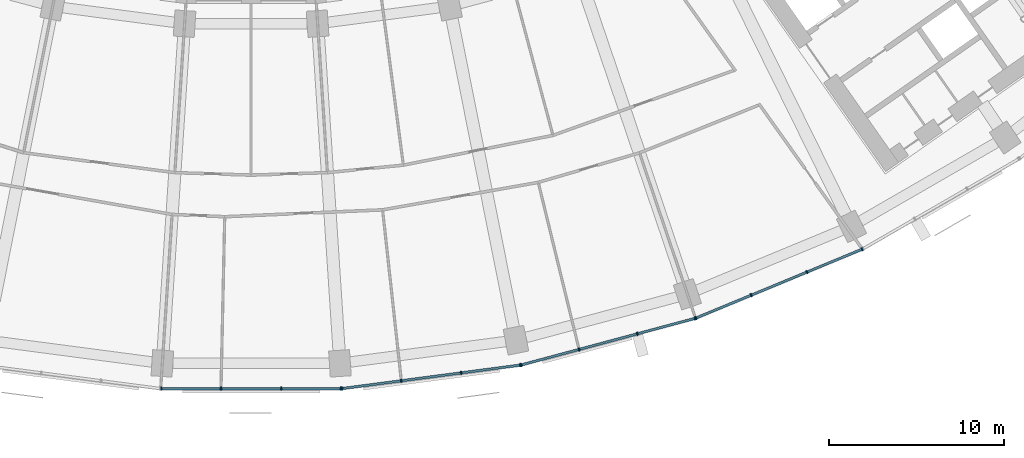
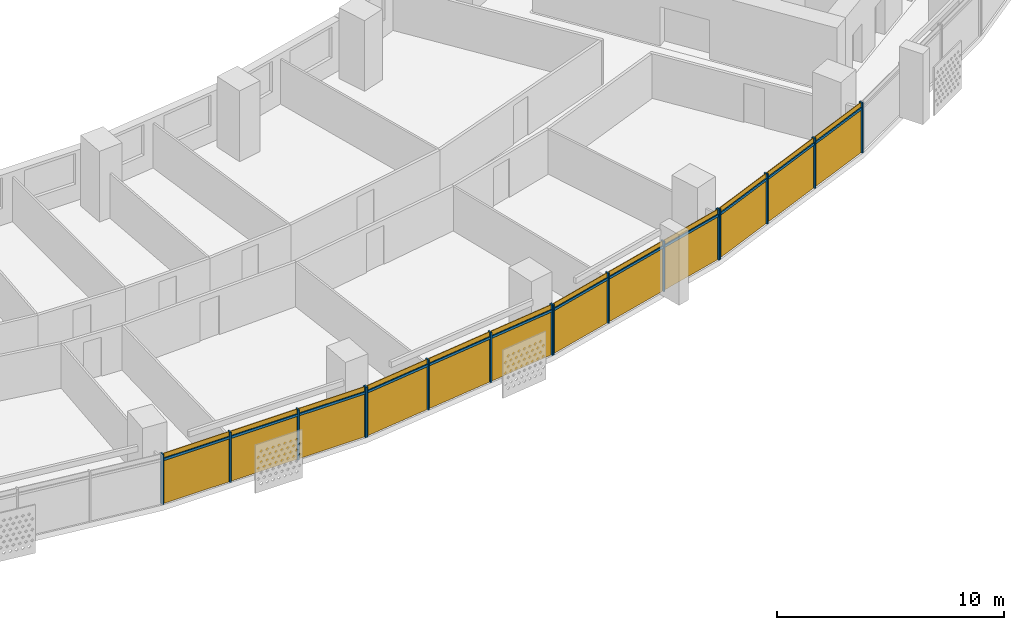
# One storey, part 21 of 29: 28 members, 4 curtain walls.
"""IFC4 building model written with IfcOpenShell, lengths in metres."""

from ifc_helpers import new_model, si_unit, direction, frame, origin, origin_2d, place, context, subcontext, project, spatial, rectangle, extrude, material, material_profile, profile_set, type_object, element, aggregate, save


model = new_model("IFC4")

# Units and contexts
model_context = context("Model", 3, precision=1e-05, world=origin(), true_north=direction((0.0, 1.0)))
body_context = subcontext(model_context, "Body", "Model", "MODEL_VIEW")
ifc_project = project(units=[si_unit("LENGTHUNIT", "METRE"), si_unit("AREAUNIT", "SQUARE_METRE"), si_unit("VOLUMEUNIT", "CUBIC_METRE"), si_unit("PLANEANGLEUNIT", "RADIAN"), si_unit("MASSUNIT", "GRAM", prefix="KILO")], contexts=[model_context])

# Member
ifc_material = material(Name="Aluminium 6063-T6 anodised", Category="aluminium")
ifc_material_profile_1 = material_profile(ifc_material, rectangle(XDim=0.199951171875, YDim=0.070068359375, at=origin_2d()))
ifc_profile_set_1 = profile_set([ifc_material_profile_1], Name="Aluminium 6063-T6 anodised")
member_type_1 = type_object("IfcMemberType", Name="Mullion 70 x 200 aluminium", PredefinedType="MULLION", material=ifc_profile_set_1)
site_placement = place(None, origin())
building_placement = place(site_placement, origin())
storey_placement = place(building_placement, frame((0.0, 0.0, 136.699951171875)))
member_1_placement = place(storey_placement, frame((-5.1513671875, -79.0302734375, 0.0), z_axis=(0.0, 0.0, 1.0), x_axis=(0.0, 1.0, 0.0)))
member_1 = element("IfcMember", 1, at=member_1_placement, type_object=member_type_1, Name="e-cw1-L31-out09/M00", PredefinedType="MULLION", context=body_context, shape_type="SweptSolid", body=[
    extrude(rectangle(XDim=0.199951171875, YDim=0.070068359375, at=origin_2d()), origin(), (0.0, 0.0, 1.0), 2.699951171875),
])

member_2_placement = place(storey_placement, frame((-1.728759765625, -79.0302734375, 0.0), z_axis=(0.0, 0.0, 1.0), x_axis=(0.0, 1.0, 0.0)))
member_2 = element("IfcMember", 2, at=member_2_placement, type_object=member_type_1, Name="e-cw1-L31-out09/M01", PredefinedType="MULLION", context=body_context, shape_type="SweptSolid", body=[
    extrude(rectangle(XDim=0.199951171875, YDim=0.070068359375, at=origin_2d()), origin(), (0.0, 0.0, 1.0), 2.699951171875),
])

member_3_placement = place(storey_placement, frame((1.728759765625, -79.0302734375, 0.0), z_axis=(0.0, 0.0, 1.0), x_axis=(0.0, 1.0, 0.0)))
member_3 = element("IfcMember", 3, at=member_3_placement, type_object=member_type_1, Name="e-cw1-L31-out09/M02", PredefinedType="MULLION", context=body_context, shape_type="SweptSolid", body=[
    extrude(rectangle(XDim=0.199951171875, YDim=0.070068359375, at=origin_2d()), origin(), (0.0, 0.0, 1.0), 2.699951171875),
])

member_4_placement = place(storey_placement, frame((5.1513671875, -79.0302734375, 0.0), z_axis=(0.0, 0.0, 1.0), x_axis=(0.0, 1.0, 0.0)))
member_4 = element("IfcMember", 4, at=member_4_placement, type_object=member_type_1, Name="e-cw1-L31-out09/M03", PredefinedType="MULLION", context=body_context, shape_type="SweptSolid", body=[
    extrude(rectangle(XDim=0.199951171875, YDim=0.070068359375, at=origin_2d()), origin(), (0.0, 0.0, 1.0), 2.699951171875),
])

member_5_placement = place(storey_placement, frame((5.2080078125, -79.026611328125, 0.0), z_axis=(0.0, 0.0, 1.0), x_axis=(-0.13052619222, 0.991444861374, 0.0)))
member_5 = element("IfcMember", 5, at=member_5_placement, type_object=member_type_1, Name="e-cw1-L31-out10/M00", PredefinedType="MULLION", context=body_context, shape_type="SweptSolid", body=[
    extrude(rectangle(XDim=0.199951171875, YDim=0.070068359375, at=origin_2d()), origin(), (0.0, 0.0, 1.0), 2.699951171875),
])

member_6_placement = place(storey_placement, frame((8.6015625, -78.579833984375, 0.0), z_axis=(0.0, 0.0, 1.0), x_axis=(-0.13052619222, 0.991444861374, 0.0)))
member_6 = element("IfcMember", 6, at=member_6_placement, type_object=member_type_1, Name="e-cw1-L31-out10/M01", PredefinedType="MULLION", context=body_context, shape_type="SweptSolid", body=[
    extrude(rectangle(XDim=0.199951171875, YDim=0.070068359375, at=origin_2d()), origin(), (0.0, 0.0, 1.0), 2.699951171875),
])

member_7_placement = place(storey_placement, frame((12.029541015625, -78.12841796875, 0.0), z_axis=(0.0, 0.0, 1.0), x_axis=(-0.13052619222, 0.991444861374, 0.0)))
member_7 = element("IfcMember", 7, at=member_7_placement, type_object=member_type_1, Name="e-cw1-L31-out10/M02", PredefinedType="MULLION", context=body_context, shape_type="SweptSolid", body=[
    extrude(rectangle(XDim=0.199951171875, YDim=0.070068359375, at=origin_2d()), origin(), (0.0, 0.0, 1.0), 2.699951171875),
])

member_8_placement = place(storey_placement, frame((15.4228515625, -77.681640625, 0.0), z_axis=(0.0, 0.0, 1.0), x_axis=(-0.13052619222, 0.991444861374, 0.0)))
member_8 = element("IfcMember", 8, at=member_8_placement, type_object=member_type_1, Name="e-cw1-L31-out10/M03", PredefinedType="MULLION", context=body_context, shape_type="SweptSolid", body=[
    extrude(rectangle(XDim=0.199951171875, YDim=0.070068359375, at=origin_2d()), origin(), (0.0, 0.0, 1.0), 2.699951171875),
])

member_9_placement = place(storey_placement, frame((15.478515625, -77.670654296875, 0.0), z_axis=(0.0, 0.0, 1.0), x_axis=(-0.258819045103, 0.965925826289, 0.0)))
member_9 = element("IfcMember", 9, at=member_9_placement, type_object=member_type_1, Name="e-cw1-L31-out11/M00", PredefinedType="MULLION", context=body_context, shape_type="SweptSolid", body=[
    extrude(rectangle(XDim=0.199951171875, YDim=0.070068359375, at=origin_2d()), origin(), (0.0, 0.0, 1.0), 2.699951171875),
])

member_10_placement = place(storey_placement, frame((18.78466796875, -76.78466796875, 0.0), z_axis=(0.0, 0.0, 1.0), x_axis=(-0.258819045103, 0.965925826289, 0.0)))
member_10 = element("IfcMember", 10, at=member_10_placement, type_object=member_type_1, Name="e-cw1-L31-out11/M01", PredefinedType="MULLION", context=body_context, shape_type="SweptSolid", body=[
    extrude(rectangle(XDim=0.199951171875, YDim=0.070068359375, at=origin_2d()), origin(), (0.0, 0.0, 1.0), 2.699951171875),
])

member_11_placement = place(storey_placement, frame((22.12451171875, -75.889892578125, 0.0), z_axis=(0.0, 0.0, 1.0), x_axis=(-0.258819045103, 0.965925826289, 0.0)))
member_11 = element("IfcMember", 11, at=member_11_placement, type_object=member_type_1, Name="e-cw1-L31-out11/M02", PredefinedType="MULLION", context=body_context, shape_type="SweptSolid", body=[
    extrude(rectangle(XDim=0.199951171875, YDim=0.070068359375, at=origin_2d()), origin(), (0.0, 0.0, 1.0), 2.699951171875),
])

member_12_placement = place(storey_placement, frame((25.430419921875, -75.00390625, 0.0), z_axis=(0.0, 0.0, 1.0), x_axis=(-0.258819045103, 0.965925826289, 0.0)))
member_12 = element("IfcMember", 12, at=member_12_placement, type_object=member_type_1, Name="e-cw1-L31-out11/M03", PredefinedType="MULLION", context=body_context, shape_type="SweptSolid", body=[
    extrude(rectangle(XDim=0.199951171875, YDim=0.070068359375, at=origin_2d()), origin(), (0.0, 0.0, 1.0), 2.699951171875),
])

member_13_placement = place(storey_placement, frame((25.484130859375, -74.98583984375, 0.0), z_axis=(0.0, 0.0, 1.0), x_axis=(-0.382683432365, 0.923879532511, 0.0)))
member_13 = element("IfcMember", 13, at=member_13_placement, type_object=member_type_1, Name="e-cw1-L31-out12/M00", PredefinedType="MULLION", context=body_context, shape_type="SweptSolid", body=[
    extrude(rectangle(XDim=0.199951171875, YDim=0.070068359375, at=origin_2d()), origin(), (0.0, 0.0, 1.0), 2.699951171875),
])

member_14_placement = place(storey_placement, frame((28.646240234375, -73.676025390625, 0.0), z_axis=(0.0, 0.0, 1.0), x_axis=(-0.382683432365, 0.923879532511, 0.0)))
member_14 = element("IfcMember", 14, at=member_14_placement, type_object=member_type_1, Name="e-cw1-L31-out12/M01", PredefinedType="MULLION", context=body_context, shape_type="SweptSolid", body=[
    extrude(rectangle(XDim=0.199951171875, YDim=0.070068359375, at=origin_2d()), origin(), (0.0, 0.0, 1.0), 2.699951171875),
])

member_15_placement = place(storey_placement, frame((31.8408203125, -72.352783203125, 0.0), z_axis=(0.0, 0.0, 1.0), x_axis=(-0.382683432365, 0.923879532511, 0.0)))
member_15 = element("IfcMember", 15, at=member_15_placement, type_object=member_type_1, Name="e-cw1-L31-out12/M02", PredefinedType="MULLION", context=body_context, shape_type="SweptSolid", body=[
    extrude(rectangle(XDim=0.199951171875, YDim=0.070068359375, at=origin_2d()), origin(), (0.0, 0.0, 1.0), 2.699951171875),
])

member_16_placement = place(storey_placement, frame((35.0029296875, -71.04296875, 0.0), z_axis=(0.0, 0.0, 1.0), x_axis=(-0.382683432365, 0.923879532511, 0.0)))
member_16 = element("IfcMember", 16, at=member_16_placement, type_object=member_type_1, Name="e-cw1-L31-out12/M03", PredefinedType="MULLION", context=body_context, shape_type="SweptSolid", body=[
    extrude(rectangle(XDim=0.199951171875, YDim=0.070068359375, at=origin_2d()), origin(), (0.0, 0.0, 1.0), 2.699951171875),
])

ifc_material_profile_2 = material_profile(ifc_material, rectangle(XDim=0.139892578125, YDim=0.1201171875, at=origin_2d()))
ifc_profile_set_2 = profile_set([ifc_material_profile_2], Name="Aluminium 6063-T6 anodised")
member_type_2 = type_object("IfcMemberType", Name="Transom 120 x 140 aluminium", PredefinedType="USERDEFINED", material=ifc_profile_set_2)
member_17_placement = place(storey_placement, frame((-5.116455078125, -79.0302734375, 2.400146484375), z_axis=(1.0, 0.0, 0.0), x_axis=(0.0, 1.0, 0.0)))
member_17 = element("IfcMember", 17, at=member_17_placement, type_object=member_type_2, Name="e-cw1-L31-out09/T00", ObjectType="TRANSOM", PredefinedType="USERDEFINED", context=body_context, shape_type="SweptSolid", body=[
    extrude(rectangle(XDim=0.139892578125, YDim=0.1201171875, at=origin_2d()), origin(), (0.0, 0.0, 1.0), 3.3525390625),
])

member_18_placement = place(storey_placement, frame((-1.69384765625, -79.0302734375, 2.400146484375), z_axis=(1.0, 0.0, 0.0), x_axis=(0.0, 1.0, 0.0)))
member_18 = element("IfcMember", 18, at=member_18_placement, type_object=member_type_2, Name="e-cw1-L31-out09/T01", ObjectType="TRANSOM", PredefinedType="USERDEFINED", context=body_context, shape_type="SweptSolid", body=[
    extrude(rectangle(XDim=0.139892578125, YDim=0.1201171875, at=origin_2d()), origin(), (0.0, 0.0, 1.0), 3.3876953125),
])

member_19_placement = place(storey_placement, frame((1.763916015625, -79.0302734375, 2.400146484375), z_axis=(1.0, 0.0, 0.0), x_axis=(0.0, 1.0, 0.0)))
member_19 = element("IfcMember", 19, at=member_19_placement, type_object=member_type_2, Name="e-cw1-L31-out09/T02", ObjectType="TRANSOM", PredefinedType="USERDEFINED", context=body_context, shape_type="SweptSolid", body=[
    extrude(rectangle(XDim=0.139892578125, YDim=0.1201171875, at=origin_2d()), origin(), (0.0, 0.0, 1.0), 3.3525390625),
])

member_20_placement = place(storey_placement, frame((5.242919921875, -79.02197265625, 2.400146484375), z_axis=(0.991439665896, 0.130565649721, 0.0), x_axis=(-0.130565649721, 0.991439665896, 0.0)))
member_20 = element("IfcMember", 20, at=member_20_placement, type_object=member_type_2, Name="e-cw1-L31-out10/T00", ObjectType="TRANSOM", PredefinedType="USERDEFINED", context=body_context, shape_type="SweptSolid", body=[
    extrude(rectangle(XDim=0.139892578125, YDim=0.1201171875, at=origin_2d()), origin(), (0.0, 0.0, 1.0), 3.352783203125),
])

member_21_placement = place(storey_placement, frame((8.63623046875, -78.5751953125, 2.400146484375), z_axis=(0.991446198807, 0.130516033004, 0.0), x_axis=(-0.130516033004, 0.991446198807, 0.0)))
member_21 = element("IfcMember", 21, at=member_21_placement, type_object=member_type_2, Name="e-cw1-L31-out10/T01", ObjectType="TRANSOM", PredefinedType="USERDEFINED", context=body_context, shape_type="SweptSolid", body=[
    extrude(rectangle(XDim=0.139892578125, YDim=0.1201171875, at=origin_2d()), origin(), (0.0, 0.0, 1.0), 3.3876953125),
])

member_22_placement = place(storey_placement, frame((12.064208984375, -78.123779296875, 2.400146484375), z_axis=(0.991449089759, 0.130494070426, 0.0), x_axis=(-0.130494070426, 0.991449089759, 0.0)))
member_22 = element("IfcMember", 22, at=member_22_placement, type_object=member_type_2, Name="e-cw1-L31-out10/T02", ObjectType="TRANSOM", PredefinedType="USERDEFINED", context=body_context, shape_type="SweptSolid", body=[
    extrude(rectangle(XDim=0.139892578125, YDim=0.1201171875, at=origin_2d()), origin(), (0.0, 0.0, 1.0), 3.3525390625),
])

member_23_placement = place(storey_placement, frame((15.512451171875, -77.66162109375, 2.400146484375), z_axis=(0.965927247937, 0.258813739382, 0.0), x_axis=(-0.258813739382, 0.965927247937, 0.0)))
member_23 = element("IfcMember", 23, at=member_23_placement, type_object=member_type_2, Name="e-cw1-L31-out11/T00", ObjectType="TRANSOM", PredefinedType="USERDEFINED", context=body_context, shape_type="SweptSolid", body=[
    extrude(rectangle(XDim=0.139892578125, YDim=0.1201171875, at=origin_2d()), origin(), (0.0, 0.0, 1.0), 3.3525390625),
])

member_24_placement = place(storey_placement, frame((18.818359375, -76.775634765625, 2.400146484375), z_axis=(0.965931646033, 0.258797324547, 0.0), x_axis=(-0.258797324547, 0.965931646033, 0.0)))
member_24 = element("IfcMember", 24, at=member_24_placement, type_object=member_type_2, Name="e-cw1-L31-out11/T01", ObjectType="TRANSOM", PredefinedType="USERDEFINED", context=body_context, shape_type="SweptSolid", body=[
    extrude(rectangle(XDim=0.139892578125, YDim=0.1201171875, at=origin_2d()), origin(), (0.0, 0.0, 1.0), 3.3876953125),
])

member_25_placement = place(storey_placement, frame((22.158203125, -75.880859375, 2.400146484375), z_axis=(0.965932125453, 0.258795535157, 0.0), x_axis=(-0.258795535157, 0.965932125453, 0.0)))
member_25 = element("IfcMember", 25, at=member_25_placement, type_object=member_type_2, Name="e-cw1-L31-out11/T02", ObjectType="TRANSOM", PredefinedType="USERDEFINED", context=body_context, shape_type="SweptSolid", body=[
    extrude(rectangle(XDim=0.139892578125, YDim=0.1201171875, at=origin_2d()), origin(), (0.0, 0.0, 1.0), 3.352783203125),
])

member_26_placement = place(storey_placement, frame((25.5166015625, -74.972412109375, 2.400146484375), z_axis=(0.923882814237, 0.382675509483, 0.0), x_axis=(-0.382675509483, 0.923882814237, 0.0)))
member_26 = element("IfcMember", 26, at=member_26_placement, type_object=member_type_2, Name="e-cw1-L31-out12/T00", ObjectType="TRANSOM", PredefinedType="USERDEFINED", context=body_context, shape_type="SweptSolid", body=[
    extrude(rectangle(XDim=0.139892578125, YDim=0.1201171875, at=origin_2d()), origin(), (0.0, 0.0, 1.0), 3.3525390625),
])

member_27_placement = place(storey_placement, frame((28.6787109375, -73.66259765625, 2.400146484375), z_axis=(0.923874529423, 0.382695510666, 0.0), x_axis=(-0.382695510666, 0.923874529423, 0.0)))
member_27 = element("IfcMember", 27, at=member_27_placement, type_object=member_type_2, Name="e-cw1-L31-out12/T01", ObjectType="TRANSOM", PredefinedType="USERDEFINED", context=body_context, shape_type="SweptSolid", body=[
    extrude(rectangle(XDim=0.139892578125, YDim=0.1201171875, at=origin_2d()), origin(), (0.0, 0.0, 1.0), 3.387451171875),
])

member_28_placement = place(storey_placement, frame((31.873046875, -72.33935546875, 2.400146484375), z_axis=(0.923882814237, 0.382675509483, 0.0), x_axis=(-0.382675509483, 0.923882814237, 0.0)))
member_28 = element("IfcMember", 28, at=member_28_placement, type_object=member_type_2, Name="e-cw1-L31-out12/T02", ObjectType="TRANSOM", PredefinedType="USERDEFINED", context=body_context, shape_type="SweptSolid", body=[
    extrude(rectangle(XDim=0.139892578125, YDim=0.1201171875, at=origin_2d()), origin(), (0.0, 0.0, 1.0), 3.3525390625),
])

# Site, building, storey
site = spatial("IfcSite", under=ifc_project, at=site_placement, CompositionType="ELEMENT")
building = spatial("IfcBuilding", under=site, at=building_placement, Name="Qamariyya Broadcast Tower", CompositionType="ELEMENT")
storey = spatial("IfcBuildingStorey", under=building, at=storey_placement, Name="L31", CompositionType="ELEMENT", Elevation=136.699951171875)

# Curtain wall
curtain_wall_type = type_object("IfcCurtainWallType", Name="Unitised curtain wall, anodised aluminium", PredefinedType="NOTDEFINED", material=ifc_material)
curtain_wall_1_placement = place(storey_placement, origin())
curtain_wall_1 = element("IfcCurtainWall", 29, at=curtain_wall_1_placement, inside=storey, type_object=curtain_wall_type, Name="e-cw1-L31-out09", PredefinedType="NOTDEFINED", context=body_context, shape_type="SweptSolid", body=[
    extrude(rectangle(XDim=3.352783203125, YDim=0.031982421875, at=origin_2d()), frame((-3.440185546875, -79.0302734375, 0.0), x_axis=(1.0, 0.0, 0.0)), (0.0, 0.0, 1.0), 2.340087890625),
    extrude(rectangle(XDim=3.352783203125, YDim=0.031982421875, at=origin_2d()), frame((-3.440185546875, -79.0302734375, 2.4599609375), x_axis=(1.0, 0.0, 0.0)), (0.0, 0.0, 1.0), 0.239990234375),
    extrude(rectangle(XDim=3.3876953125, YDim=0.031982421875, at=origin_2d()), frame((0.0, -79.0302734375, 0.0), x_axis=(1.0, 0.0, 0.0)), (0.0, 0.0, 1.0), 2.340087890625),
    extrude(rectangle(XDim=3.3876953125, YDim=0.031982421875, at=origin_2d()), frame((0.0, -79.0302734375, 2.4599609375), x_axis=(1.0, 0.0, 0.0)), (0.0, 0.0, 1.0), 0.239990234375),
    extrude(rectangle(XDim=3.352783203125, YDim=0.031982421875, at=origin_2d()), frame((3.440185546875, -79.0302734375, 0.0), x_axis=(1.0, 0.0, 0.0)), (0.0, 0.0, 1.0), 2.340087890625),
    extrude(rectangle(XDim=3.352783203125, YDim=0.031982421875, at=origin_2d()), frame((3.440185546875, -79.0302734375, 2.4599609375), x_axis=(1.0, 0.0, 0.0)), (0.0, 0.0, 1.0), 0.239990234375),
])

aggregate(curtain_wall_1, [member_1, member_2, member_3, member_4, member_17, member_18, member_19])

curtain_wall_2_placement = place(storey_placement, origin())
curtain_wall_2 = element("IfcCurtainWall", 30, at=curtain_wall_2_placement, inside=storey, type_object=curtain_wall_type, Name="e-cw1-L31-out10", PredefinedType="NOTDEFINED", context=body_context, shape_type="SweptSolid", body=[
    extrude(rectangle(XDim=3.3525390625, YDim=0.031982421875, at=origin_2d()), frame((6.90478515625, -78.802978515625, 0.0), x_axis=(0.991447084105, 0.13050930779, 0.0)), (0.0, 0.0, 1.0), 2.340087890625),
    extrude(rectangle(XDim=3.3525390625, YDim=0.031982421875, at=origin_2d()), frame((6.90478515625, -78.802978515625, 2.4599609375), x_axis=(0.991447084105, 0.13050930779, 0.0)), (0.0, 0.0, 1.0), 0.239990234375),
    extrude(rectangle(XDim=3.3876953125, YDim=0.031982421875, at=origin_2d()), frame((10.3154296875, -78.35400390625, 0.0), x_axis=(0.991447084105, 0.13050930779, 0.0)), (0.0, 0.0, 1.0), 2.340087890625),
    extrude(rectangle(XDim=3.3876953125, YDim=0.031982421875, at=origin_2d()), frame((10.3154296875, -78.35400390625, 2.4599609375), x_axis=(0.991447084105, 0.13050930779, 0.0)), (0.0, 0.0, 1.0), 0.239990234375),
    extrude(rectangle(XDim=3.3525390625, YDim=0.031982421875, at=origin_2d()), frame((13.72607421875, -77.9052734375, 0.0), x_axis=(0.991447084105, 0.13050930779, 0.0)), (0.0, 0.0, 1.0), 2.340087890625),
    extrude(rectangle(XDim=3.3525390625, YDim=0.031982421875, at=origin_2d()), frame((13.72607421875, -77.9052734375, 2.4599609375), x_axis=(0.991447084105, 0.13050930779, 0.0)), (0.0, 0.0, 1.0), 0.239990234375),
])

aggregate(curtain_wall_2, [member_5, member_6, member_7, member_8, member_20, member_21, member_22])

curtain_wall_3_placement = place(storey_placement, origin())
curtain_wall_3 = element("IfcCurtainWall", 31, at=curtain_wall_3_placement, inside=storey, type_object=curtain_wall_type, Name="e-cw1-L31-out11", PredefinedType="NOTDEFINED", context=body_context, shape_type="SweptSolid", body=[
    extrude(rectangle(XDim=3.352783203125, YDim=0.031982421875, at=origin_2d()), frame((17.131591796875, -77.227783203125, 0.0), x_axis=(0.965923677743, 0.258827063454, 0.0)), (0.0, 0.0, 1.0), 2.340087890625),
    extrude(rectangle(XDim=3.352783203125, YDim=0.031982421875, at=origin_2d()), frame((17.131591796875, -77.227783203125, 2.4599609375), x_axis=(0.965923677743, 0.258827063454, 0.0)), (0.0, 0.0, 1.0), 0.239990234375),
    extrude(rectangle(XDim=3.3876953125, YDim=0.031982421875, at=origin_2d()), frame((20.45458984375, -76.33740234375, 0.0), x_axis=(0.965923677743, 0.258827063454, 0.0)), (0.0, 0.0, 1.0), 2.340087890625),
    extrude(rectangle(XDim=3.3876953125, YDim=0.031982421875, at=origin_2d()), frame((20.45458984375, -76.33740234375, 2.4599609375), x_axis=(0.965923677743, 0.258827063454, 0.0)), (0.0, 0.0, 1.0), 0.239990234375),
    extrude(rectangle(XDim=3.352783203125, YDim=0.031982421875, at=origin_2d()), frame((23.777587890625, -75.44677734375, 0.0), x_axis=(0.965923677743, 0.258827063454, 0.0)), (0.0, 0.0, 1.0), 2.340087890625),
    extrude(rectangle(XDim=3.352783203125, YDim=0.031982421875, at=origin_2d()), frame((23.777587890625, -75.44677734375, 2.4599609375), x_axis=(0.965923677743, 0.258827063454, 0.0)), (0.0, 0.0, 1.0), 0.239990234375),
])

aggregate(curtain_wall_3, [member_9, member_10, member_11, member_12, member_23, member_24, member_25])

curtain_wall_4_placement = place(storey_placement, origin())
curtain_wall_4 = element("IfcCurtainWall", 32, at=curtain_wall_4_placement, inside=storey, type_object=curtain_wall_type, Name="e-cw1-L31-out12", PredefinedType="NOTDEFINED", context=body_context, shape_type="SweptSolid", body=[
    extrude(rectangle(XDim=3.3525390625, YDim=0.031982421875, at=origin_2d()), frame((27.065185546875, -74.3310546875, 0.0), x_axis=(0.923872250857, 0.382701011361, 0.0)), (0.0, 0.0, 1.0), 2.340087890625),
    extrude(rectangle(XDim=3.3525390625, YDim=0.031982421875, at=origin_2d()), frame((27.065185546875, -74.3310546875, 2.4599609375), x_axis=(0.923872250857, 0.382701011361, 0.0)), (0.0, 0.0, 1.0), 0.239990234375),
    extrude(rectangle(XDim=3.3876953125, YDim=0.031982421875, at=origin_2d()), frame((30.24365234375, -73.014404296875, 0.0), x_axis=(0.923872250857, 0.382701011361, 0.0)), (0.0, 0.0, 1.0), 2.340087890625),
    extrude(rectangle(XDim=3.3876953125, YDim=0.031982421875, at=origin_2d()), frame((30.24365234375, -73.014404296875, 2.4599609375), x_axis=(0.923872250857, 0.382701011361, 0.0)), (0.0, 0.0, 1.0), 0.239990234375),
    extrude(rectangle(XDim=3.3525390625, YDim=0.031982421875, at=origin_2d()), frame((33.421875, -71.69775390625, 0.0), x_axis=(0.923872250857, 0.382701011361, 0.0)), (0.0, 0.0, 1.0), 2.340087890625),
    extrude(rectangle(XDim=3.3525390625, YDim=0.031982421875, at=origin_2d()), frame((33.421875, -71.69775390625, 2.4599609375), x_axis=(0.923872250857, 0.382701011361, 0.0)), (0.0, 0.0, 1.0), 0.239990234375),
])

aggregate(curtain_wall_4, [member_13, member_14, member_15, member_16, member_26, member_27, member_28])

save(model, "model.ifc")
